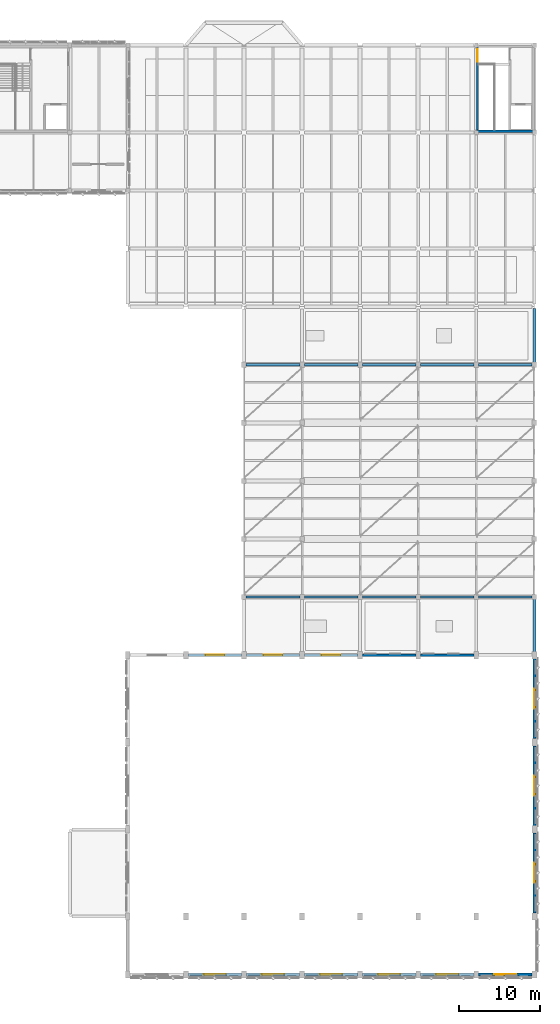
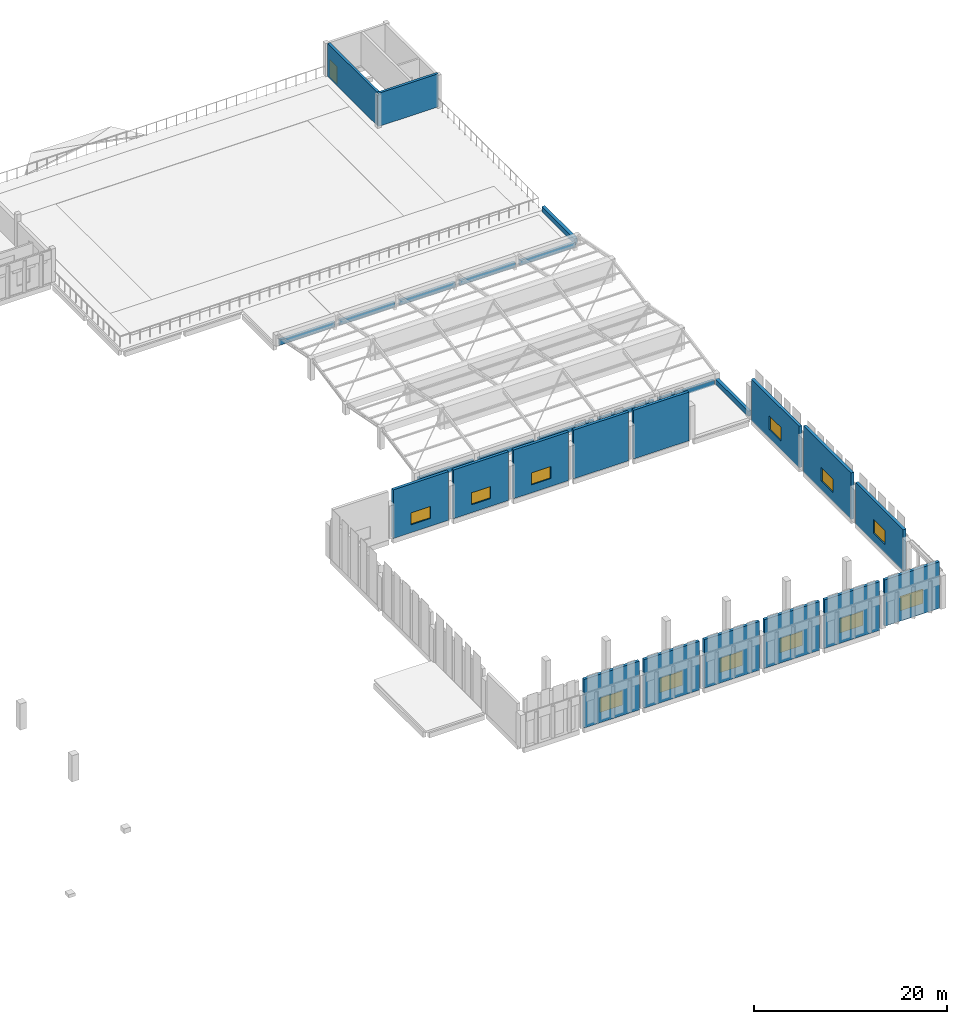
# One storey, part 60 of 72: 28 walls, 12 windows, 1 door, 13 openings.
"""IFC4 building model written with IfcOpenShell, lengths in metres."""

from ifc_helpers import new_model, si_unit, direction, frame, frame_2d, origin, place, context, subcontext, project, spatial, rectangle, extrude, material, layer, layer_set, type_object, element, fill, save


model = new_model("IFC4")

# Units and contexts
model_context = context("Model", 3, precision=1e-05, world=origin(), true_north=direction((0.0, 1.0)))
body_context = subcontext(model_context, "Body", "Model", "MODEL_VIEW")
ifc_project = project(units=[si_unit("LENGTHUNIT", "METRE"), si_unit("AREAUNIT", "SQUARE_METRE"), si_unit("VOLUMEUNIT", "CUBIC_METRE"), si_unit("PLANEANGLEUNIT", "RADIAN"), si_unit("MASSUNIT", "GRAM", prefix="KILO")], contexts=[model_context])

# Site, building, storey
site_placement = place(None, origin())
site = spatial("IfcSite", under=ifc_project, at=site_placement, CompositionType="ELEMENT")
building_placement = place(site_placement, origin())
building = spatial("IfcBuilding", under=site, at=building_placement, Name="Lusvemor Sports Hall", CompositionType="ELEMENT")
storey_placement = place(building_placement, frame((0.0, 0.0, 15.0)))
storey = spatial("IfcBuildingStorey", under=building, at=storey_placement, Name="L03", CompositionType="ELEMENT", Elevation=15.0)

# Walls
ifc_material_1 = material(Name="Emerald polychrome glazed ceramic cladding on Concrete C40/50 backing", Category="concrete")
ifc_layer_1 = layer(ifc_material_1, 0.2900390625)
ifc_layer_set_1 = layer_set([ifc_layer_1], Name="Emerald polychrome glazed ceramic cladding on Concrete C40/50 backing")
wall_type_1 = type_object("IfcWallType", Name="EW_CLIMB_290", PredefinedType="STANDARD", material=ifc_layer_set_1)
for number, where, z_axis, x_axis, name in (
    (1, (140.1240234375, 46.800048828125, -0.14990234375), (0.0, 0.0, 1.0), (-1.0, 0.0, 0.0), "Exterior Wall EW-V3GAB-S-0"),
    (2, (147.323974609375, 46.800048828125, -0.14990234375), (0.0, 0.0, 1.0), (-1.0, 0.0, 0.0), "Exterior Wall EW-V3GAB-S-1"),
    (3, (154.52392578125, 46.800048828125, -0.14990234375), (0.0, 0.0, 1.0), (-1.0, 0.0, 0.0), "Exterior Wall EW-V3GAB-S-2"),
):
    element("IfcWall", number, at=place(storey_placement, frame(where, z_axis=z_axis, x_axis=x_axis)), inside=storey, type_object=wall_type_1, Name=name, PredefinedType="STANDARD", context=body_context, shape_type="SweptSolid", body=[
        extrude(rectangle(XDim=6.64794921875, YDim=0.2900390625, at=frame_2d((3.323974609375, 0.0))), origin(), (0.0, 0.0, 1.0), 0.635009765625),
    ])
for number, where, z_axis, x_axis, name in (
    (4, (161.72412109375, 46.800048828125, -0.14990234375), (0.0, 0.0, 1.0), (-1.0, 0.0, 0.0), "Exterior Wall EW-V3GAB-S-3"),
    (5, (168.924072265625, 46.800048828125, -0.14990234375), (0.0, 0.0, 1.0), (-1.0, 0.0, 0.0), "Exterior Wall EW-V3GAB-S-4"),
):
    element("IfcWall", number, at=place(storey_placement, frame(where, z_axis=z_axis, x_axis=x_axis)), inside=storey, type_object=wall_type_1, Name=name, PredefinedType="STANDARD", context=body_context, shape_type="SweptSolid", body=[
        extrude(rectangle(XDim=6.648193359375, YDim=0.2900390625, at=frame_2d((3.32421875, 0.0))), origin(), (0.0, 0.0, 1.0), 0.635009765625),
    ])
for number, where, z_axis, x_axis, name in (
    (6, (133.47607421875, 75.60009765625, -0.14990234375), (0.0, 0.0, 1.0), (1.0, 0.0, 0.0), "Exterior Wall EW-V3GAB-N-0"),
    (7, (140.676025390625, 75.60009765625, -0.14990234375), (0.0, 0.0, 1.0), (1.0, 0.0, 0.0), "Exterior Wall EW-V3GAB-N-1"),
    (8, (147.8759765625, 75.60009765625, -0.14990234375), (0.0, 0.0, 1.0), (1.0, 0.0, 0.0), "Exterior Wall EW-V3GAB-N-2"),
):
    element("IfcWall", number, at=place(storey_placement, frame(where, z_axis=z_axis, x_axis=x_axis)), inside=storey, type_object=wall_type_1, Name=name, PredefinedType="STANDARD", context=body_context, shape_type="SweptSolid", body=[
        extrude(rectangle(XDim=6.64794921875, YDim=0.2900390625, at=frame_2d((3.323974609375, 0.0))), origin(), (0.0, 0.0, 1.0), 0.635009765625),
    ])
for number, where, z_axis, x_axis, name in (
    (9, (155.075927734375, 75.60009765625, -0.14990234375), (0.0, 0.0, 1.0), (1.0, 0.0, 0.0), "Exterior Wall EW-V3GAB-N-3"),
    (10, (162.27587890625, 75.60009765625, -0.14990234375), (0.0, 0.0, 1.0), (1.0, 0.0, 0.0), "Exterior Wall EW-V3GAB-N-4"),
):
    element("IfcWall", number, at=place(storey_placement, frame(where, z_axis=z_axis, x_axis=x_axis)), inside=storey, type_object=wall_type_1, Name=name, PredefinedType="STANDARD", context=body_context, shape_type="SweptSolid", body=[
        extrude(rectangle(XDim=6.648193359375, YDim=0.2900390625, at=frame_2d((3.32421875, 0.0))), origin(), (0.0, 0.0, 1.0), 0.635009765625),
    ])

# Wall, opening, window
ifc_material_2 = material(Name="Warm terracotta Art Nouveau ceramic cladding on Concrete C40/50 backing", Category="masonry")
ifc_layer_2 = layer(ifc_material_2, 0.340087890625)
ifc_layer_set_2 = layer_set([ifc_layer_2], Name="Warm terracotta Art Nouveau ceramic cladding on Concrete C40/50 backing")
wall_type_2 = type_object("IfcWallType", Name="EW_TERR_CAV_340", PredefinedType="STANDARD", material=ifc_layer_set_2)
wall_1_placement = place(storey_placement, frame((132.904052734375, 0.0, -0.280029296875), z_axis=(0.0, 0.0, 1.0), x_axis=(-1.0, 0.0, 0.0)))
wall_1 = element("IfcWall", 11, at=wall_1_placement, inside=storey, type_object=wall_type_2, Name="Exterior Wall EW-V2CS-L03-1", PredefinedType="STANDARD", context=body_context, shape_type="SweptSolid", body=[
    extrude(rectangle(XDim=6.608154296875, YDim=0.340087890625, at=frame_2d((3.30419921875, 0.0))), origin(), (0.0, 0.0, 1.0), 6.165771484375),
])
opening_1_placement = place(wall_1_placement, frame((1.93408203125, 0.0, 1.199951171875)))
opening_1 = element("IfcOpeningElement", 12, at=opening_1_placement, cuts=wall_1, Name="Opening WN20", PredefinedType="OPENING", context=body_context, shape_type="SweptSolid", body=[
    extrude(rectangle(XDim=2.739990234375, YDim=1.820068359375, at=frame_2d((1.3701171875, 0.91015625))), frame((0.0, 0.169921875, 0.0), z_axis=(0.0, -1.0, 0.0), x_axis=(1.0, 0.0, 0.0)), (0.0, 0.0, 1.0), 0.340087890625),
])
ifc_material_3 = material(Name="Solar-control laminated double glazing", Category="glass")
window_type_1 = type_object("IfcWindowType", Name="WIN_20", PartitioningType="SINGLE_PANEL", PredefinedType="WINDOW", material=ifc_material_3)
window_1_placement = place(opening_1_placement, origin())
window_1 = element("IfcWindow", 13, at=window_1_placement, inside=storey, type_object=window_type_1, Name="Upper Court 3 South Clerestory 1", OverallHeight=1.820068359375, OverallWidth=2.739990234375, PartitioningType="SINGLE_PANEL", PredefinedType="WINDOW", context=body_context, shape_type="SweptSolid", body=[
    extrude(rectangle(XDim=2.739990234375, YDim=1.820068359375, at=frame_2d((1.3701171875, 0.91015625))), frame((0.0, 0.030029296875, 0.0), z_axis=(0.0, -1.0, 0.0), x_axis=(1.0, 0.0, 0.0)), (0.0, 0.0, 1.0), 0.06005859375),
])
fill(opening_1, window_1)

wall_2_placement = place(storey_placement, frame((126.2958984375, 39.60009765625, -0.280029296875), z_axis=(0.0, 0.0, 1.0), x_axis=(1.0, 0.0, 0.0)))
wall_2 = element("IfcWall", 14, at=wall_2_placement, inside=storey, type_object=wall_type_2, Name="Exterior Wall EW-V2N-L03-1", PredefinedType="STANDARD", context=body_context, shape_type="SweptSolid", body=[
    extrude(rectangle(XDim=6.608154296875, YDim=0.340087890625, at=frame_2d((3.30419921875, 0.0))), origin(), (0.0, 0.0, 1.0), 6.165771484375),
])
opening_2_placement = place(wall_2_placement, frame((2.14404296875, 0.0, 1.0)))
opening_2 = element("IfcOpeningElement", 15, at=opening_2_placement, cuts=wall_2, Name="Opening WN21", PredefinedType="OPENING", context=body_context, shape_type="SweptSolid", body=[
    extrude(rectangle(XDim=2.320068359375, YDim=1.52001953125, at=frame_2d((1.16015625, 0.760009765625))), frame((0.0, 0.169921875, 0.0), z_axis=(0.0, -1.0, 0.0), x_axis=(1.0, 0.0, 0.0)), (0.0, 0.0, 1.0), 0.340087890625),
])
ifc_material_4 = material(Name="Solar-control laminated double glazing", Category="glass")
window_type_2 = type_object("IfcWindowType", Name="WIN_21", PartitioningType="SINGLE_PANEL", PredefinedType="WINDOW", material=ifc_material_4)
window_2_placement = place(opening_2_placement, origin())
window_2 = element("IfcWindow", 16, at=window_2_placement, inside=storey, type_object=window_type_2, Name="Court 2/3 North Window L03-1", OverallHeight=1.52001953125, OverallWidth=2.320068359375, PartitioningType="SINGLE_PANEL", PredefinedType="WINDOW", context=body_context, shape_type="SweptSolid", body=[
    extrude(rectangle(XDim=2.320068359375, YDim=1.52001953125, at=frame_2d((1.16015625, 0.760009765625))), frame((0.0, 0.030029296875, 0.0), z_axis=(0.0, -1.0, 0.0), x_axis=(1.0, 0.0, 0.0)), (0.0, 0.0, 1.0), 0.06005859375),
])
fill(opening_2, window_2)

wall_3_placement = place(storey_placement, frame((140.10400390625, 0.0, -0.280029296875), z_axis=(0.0, 0.0, 1.0), x_axis=(-1.0, 0.0, 0.0)))
wall_3 = element("IfcWall", 17, at=wall_3_placement, inside=storey, type_object=wall_type_2, Name="Exterior Wall EW-V2CS-L03-2", PredefinedType="STANDARD", context=body_context, shape_type="SweptSolid", body=[
    extrude(rectangle(XDim=6.60791015625, YDim=0.340087890625, at=frame_2d((3.303955078125, 0.0))), origin(), (0.0, 0.0, 1.0), 6.165771484375),
])
opening_3_placement = place(wall_3_placement, frame((1.93408203125, 0.0, 1.199951171875)))
opening_3 = element("IfcOpeningElement", 18, at=opening_3_placement, cuts=wall_3, Name="Opening WN20", PredefinedType="OPENING", context=body_context, shape_type="SweptSolid", body=[
    extrude(rectangle(XDim=2.739990234375, YDim=1.820068359375, at=frame_2d((1.3701171875, 0.91015625))), frame((0.0, 0.169921875, 0.0), z_axis=(0.0, -1.0, 0.0), x_axis=(1.0, 0.0, 0.0)), (0.0, 0.0, 1.0), 0.340087890625),
])
window_3_placement = place(opening_3_placement, origin())
window_3 = element("IfcWindow", 19, at=window_3_placement, inside=storey, type_object=window_type_1, Name="Upper Court 3 South Clerestory 2", OverallHeight=1.820068359375, OverallWidth=2.739990234375, PartitioningType="SINGLE_PANEL", PredefinedType="WINDOW", context=body_context, shape_type="SweptSolid", body=[
    extrude(rectangle(XDim=2.739990234375, YDim=1.820068359375, at=frame_2d((1.3701171875, 0.91015625))), frame((0.0, 0.030029296875, 0.0), z_axis=(0.0, -1.0, 0.0), x_axis=(1.0, 0.0, 0.0)), (0.0, 0.0, 1.0), 0.06005859375),
])
fill(opening_3, window_3)

wall_4_placement = place(storey_placement, frame((133.49609375, 39.60009765625, -0.280029296875), z_axis=(0.0, 0.0, 1.0), x_axis=(1.0, 0.0, 0.0)))
wall_4 = element("IfcWall", 20, at=wall_4_placement, inside=storey, type_object=wall_type_2, Name="Exterior Wall EW-V2N-L03-2", PredefinedType="STANDARD", context=body_context, shape_type="SweptSolid", body=[
    extrude(rectangle(XDim=6.60791015625, YDim=0.340087890625, at=frame_2d((3.303955078125, 0.0))), origin(), (0.0, 0.0, 1.0), 6.165771484375),
])
opening_4_placement = place(wall_4_placement, frame((2.14404296875, 0.0, 1.0)))
opening_4 = element("IfcOpeningElement", 21, at=opening_4_placement, cuts=wall_4, Name="Opening WN21", PredefinedType="OPENING", context=body_context, shape_type="SweptSolid", body=[
    extrude(rectangle(XDim=2.320068359375, YDim=1.52001953125, at=frame_2d((1.16015625, 0.760009765625))), frame((0.0, 0.169921875, 0.0), z_axis=(0.0, -1.0, 0.0), x_axis=(1.0, 0.0, 0.0)), (0.0, 0.0, 1.0), 0.340087890625),
])
window_4_placement = place(opening_4_placement, origin())
window_4 = element("IfcWindow", 22, at=window_4_placement, inside=storey, type_object=window_type_2, Name="Court 2/3 North Window L03-2", OverallHeight=1.52001953125, OverallWidth=2.320068359375, PartitioningType="SINGLE_PANEL", PredefinedType="WINDOW", context=body_context, shape_type="SweptSolid", body=[
    extrude(rectangle(XDim=2.320068359375, YDim=1.52001953125, at=frame_2d((1.16015625, 0.760009765625))), frame((0.0, 0.030029296875, 0.0), z_axis=(0.0, -1.0, 0.0), x_axis=(1.0, 0.0, 0.0)), (0.0, 0.0, 1.0), 0.06005859375),
])
fill(opening_4, window_4)

wall_5_placement = place(storey_placement, frame((147.303955078125, 0.0, -0.280029296875), z_axis=(0.0, 0.0, 1.0), x_axis=(-1.0, 0.0, 0.0)))
wall_5 = element("IfcWall", 23, at=wall_5_placement, inside=storey, type_object=wall_type_2, Name="Exterior Wall EW-V2CS-L03-3", PredefinedType="STANDARD", context=body_context, shape_type="SweptSolid", body=[
    extrude(rectangle(XDim=6.60791015625, YDim=0.340087890625, at=frame_2d((3.303955078125, 0.0))), origin(), (0.0, 0.0, 1.0), 6.165771484375),
])
opening_5_placement = place(wall_5_placement, frame((1.93408203125, 0.0, 1.199951171875)))
opening_5 = element("IfcOpeningElement", 24, at=opening_5_placement, cuts=wall_5, Name="Opening WN20", PredefinedType="OPENING", context=body_context, shape_type="SweptSolid", body=[
    extrude(rectangle(XDim=2.739990234375, YDim=1.820068359375, at=frame_2d((1.3701171875, 0.91015625))), frame((0.0, 0.169921875, 0.0), z_axis=(0.0, -1.0, 0.0), x_axis=(1.0, 0.0, 0.0)), (0.0, 0.0, 1.0), 0.340087890625),
])
window_5_placement = place(opening_5_placement, origin())
window_5 = element("IfcWindow", 25, at=window_5_placement, inside=storey, type_object=window_type_1, Name="Upper Court 3 South Clerestory 3", OverallHeight=1.820068359375, OverallWidth=2.739990234375, PartitioningType="SINGLE_PANEL", PredefinedType="WINDOW", context=body_context, shape_type="SweptSolid", body=[
    extrude(rectangle(XDim=2.739990234375, YDim=1.820068359375, at=frame_2d((1.3701171875, 0.91015625))), frame((0.0, 0.030029296875, 0.0), z_axis=(0.0, -1.0, 0.0), x_axis=(1.0, 0.0, 0.0)), (0.0, 0.0, 1.0), 0.06005859375),
])
fill(opening_5, window_5)

wall_6_placement = place(storey_placement, frame((140.696044921875, 39.60009765625, -0.280029296875), z_axis=(0.0, 0.0, 1.0), x_axis=(1.0, 0.0, 0.0)))
wall_6 = element("IfcWall", 26, at=wall_6_placement, inside=storey, type_object=wall_type_2, Name="Exterior Wall EW-V2N-L03-3", PredefinedType="STANDARD", context=body_context, shape_type="SweptSolid", body=[
    extrude(rectangle(XDim=6.60791015625, YDim=0.340087890625, at=frame_2d((3.303955078125, 0.0))), origin(), (0.0, 0.0, 1.0), 6.165771484375),
])
opening_6_placement = place(wall_6_placement, frame((2.14404296875, 0.0, 1.0)))
opening_6 = element("IfcOpeningElement", 27, at=opening_6_placement, cuts=wall_6, Name="Opening WN21", PredefinedType="OPENING", context=body_context, shape_type="SweptSolid", body=[
    extrude(rectangle(XDim=2.320068359375, YDim=1.52001953125, at=frame_2d((1.16015625, 0.760009765625))), frame((0.0, 0.169921875, 0.0), z_axis=(0.0, -1.0, 0.0), x_axis=(1.0, 0.0, 0.0)), (0.0, 0.0, 1.0), 0.340087890625),
])
window_6_placement = place(opening_6_placement, origin())
window_6 = element("IfcWindow", 28, at=window_6_placement, inside=storey, type_object=window_type_2, Name="Court 2/3 North Window L03-3", OverallHeight=1.52001953125, OverallWidth=2.320068359375, PartitioningType="SINGLE_PANEL", PredefinedType="WINDOW", context=body_context, shape_type="SweptSolid", body=[
    extrude(rectangle(XDim=2.320068359375, YDim=1.52001953125, at=frame_2d((1.16015625, 0.760009765625))), frame((0.0, 0.030029296875, 0.0), z_axis=(0.0, -1.0, 0.0), x_axis=(1.0, 0.0, 0.0)), (0.0, 0.0, 1.0), 0.06005859375),
])
fill(opening_6, window_6)

wall_7_placement = place(storey_placement, frame((154.50390625, 0.0, -0.280029296875), z_axis=(0.0, 0.0, 1.0), x_axis=(-1.0, 0.0, 0.0)))
wall_7 = element("IfcWall", 29, at=wall_7_placement, inside=storey, type_object=wall_type_2, Name="Exterior Wall EW-V2CS-L03-4", PredefinedType="STANDARD", context=body_context, shape_type="SweptSolid", body=[
    extrude(rectangle(XDim=6.60791015625, YDim=0.340087890625, at=frame_2d((3.303955078125, 0.0))), origin(), (0.0, 0.0, 1.0), 6.165771484375),
])
opening_7_placement = place(wall_7_placement, frame((1.93408203125, 0.0, 1.199951171875)))
opening_7 = element("IfcOpeningElement", 30, at=opening_7_placement, cuts=wall_7, Name="Opening WN20", PredefinedType="OPENING", context=body_context, shape_type="SweptSolid", body=[
    extrude(rectangle(XDim=2.739990234375, YDim=1.820068359375, at=frame_2d((1.3701171875, 0.91015625))), frame((0.0, 0.169921875, 0.0), z_axis=(0.0, -1.0, 0.0), x_axis=(1.0, 0.0, 0.0)), (0.0, 0.0, 1.0), 0.340087890625),
])
window_7_placement = place(opening_7_placement, origin())
window_7 = element("IfcWindow", 31, at=window_7_placement, inside=storey, type_object=window_type_1, Name="Upper Court 3 South Clerestory 4", OverallHeight=1.820068359375, OverallWidth=2.739990234375, PartitioningType="SINGLE_PANEL", PredefinedType="WINDOW", context=body_context, shape_type="SweptSolid", body=[
    extrude(rectangle(XDim=2.739990234375, YDim=1.820068359375, at=frame_2d((1.3701171875, 0.91015625))), frame((0.0, 0.030029296875, 0.0), z_axis=(0.0, -1.0, 0.0), x_axis=(1.0, 0.0, 0.0)), (0.0, 0.0, 1.0), 0.06005859375),
])
fill(opening_7, window_7)

wall_8_placement = place(storey_placement, frame((161.7041015625, 0.0, -0.280029296875), z_axis=(0.0, 0.0, 1.0), x_axis=(-1.0, 0.0, 0.0)))
wall_8 = element("IfcWall", 32, at=wall_8_placement, inside=storey, type_object=wall_type_2, Name="Exterior Wall EW-V2CS-L03-5", PredefinedType="STANDARD", context=body_context, shape_type="SweptSolid", body=[
    extrude(rectangle(XDim=6.608154296875, YDim=0.340087890625, at=frame_2d((3.30419921875, 0.0))), origin(), (0.0, 0.0, 1.0), 6.165771484375),
])
opening_8_placement = place(wall_8_placement, frame((1.93408203125, 0.0, 1.199951171875)))
opening_8 = element("IfcOpeningElement", 33, at=opening_8_placement, cuts=wall_8, Name="Opening WN20", PredefinedType="OPENING", context=body_context, shape_type="SweptSolid", body=[
    extrude(rectangle(XDim=2.739990234375, YDim=1.820068359375, at=frame_2d((1.3701171875, 0.91015625))), frame((0.0, 0.169921875, 0.0), z_axis=(0.0, -1.0, 0.0), x_axis=(1.0, 0.0, 0.0)), (0.0, 0.0, 1.0), 0.340087890625),
])
window_8_placement = place(opening_8_placement, origin())
window_8 = element("IfcWindow", 34, at=window_8_placement, inside=storey, type_object=window_type_1, Name="Upper Court 3 South Clerestory 5", OverallHeight=1.820068359375, OverallWidth=2.739990234375, PartitioningType="SINGLE_PANEL", PredefinedType="WINDOW", context=body_context, shape_type="SweptSolid", body=[
    extrude(rectangle(XDim=2.739990234375, YDim=1.820068359375, at=frame_2d((1.3701171875, 0.91015625))), frame((0.0, 0.030029296875, 0.0), z_axis=(0.0, -1.0, 0.0), x_axis=(1.0, 0.0, 0.0)), (0.0, 0.0, 1.0), 0.06005859375),
])
fill(opening_8, window_8)

wall_9_placement = place(storey_placement, frame((168.904052734375, 0.0, 0.0048828125), z_axis=(0.0, 0.0, 1.0), x_axis=(-1.0, 0.0, 0.0)))
wall_9 = element("IfcWall", 35, at=wall_9_placement, inside=storey, type_object=wall_type_2, Name="Exterior Wall EW-V2CS-L03-6", PredefinedType="STANDARD", context=body_context, shape_type="SweptSolid", body=[
    extrude(rectangle(XDim=6.608154296875, YDim=0.340087890625, at=frame_2d((3.30419921875, 0.0))), origin(), (0.0, 0.0, 1.0), 5.880859375),
])
opening_9_placement = place(wall_9_placement, frame((1.93408203125, 0.0, 1.195068359375)))
opening_9 = element("IfcOpeningElement", 36, at=opening_9_placement, cuts=wall_9, Name="Opening WN20", PredefinedType="OPENING", context=body_context, shape_type="SweptSolid", body=[
    extrude(rectangle(XDim=2.739990234375, YDim=1.820068359375, at=frame_2d((1.3701171875, 0.91015625))), frame((0.0, 0.169921875, 0.0), z_axis=(0.0, -1.0, 0.0), x_axis=(1.0, 0.0, 0.0)), (0.0, 0.0, 1.0), 0.340087890625),
])
window_9_placement = place(opening_9_placement, origin())
window_9 = element("IfcWindow", 37, at=window_9_placement, inside=storey, type_object=window_type_1, Name="Upper Court 3 South Clerestory 6", OverallHeight=1.820068359375, OverallWidth=2.739990234375, PartitioningType="SINGLE_PANEL", PredefinedType="WINDOW", context=body_context, shape_type="SweptSolid", body=[
    extrude(rectangle(XDim=2.739990234375, YDim=1.820068359375, at=frame_2d((1.3701171875, 0.91015625))), frame((0.0, 0.030029296875, 0.0), z_axis=(0.0, -1.0, 0.0), x_axis=(1.0, 0.0, 0.0)), (0.0, 0.0, 1.0), 0.06005859375),
])
fill(opening_9, window_9)

wall_10_placement = place(storey_placement, frame((169.199951171875, 17.553955078125, -0.10009765625), z_axis=(0.0, 0.0, 1.0), x_axis=(0.0, -1.0, 0.0)))
wall_10 = element("IfcWall", 38, at=wall_10_placement, inside=storey, type_object=wall_type_2, Name="Exterior Wall EW-V2E-L03-1", PredefinedType="STANDARD", context=body_context, shape_type="SweptSolid", body=[
    extrude(rectangle(XDim=9.907958984375, YDim=0.340087890625, at=frame_2d((4.9541015625, 0.0))), origin(), (0.0, 0.0, 1.0), 5.2451171875),
])
opening_10_placement = place(wall_10_placement, frame((3.714111328125, 0.0, 1.10009765625)))
opening_10 = element("IfcOpeningElement", 39, at=opening_10_placement, cuts=wall_10, Name="Opening WN34", PredefinedType="OPENING", context=body_context, shape_type="SweptSolid", body=[
    extrude(rectangle(XDim=2.47998046875, YDim=1.739990234375, at=frame_2d((1.239990234375, 0.8701171875))), frame((0.0, 0.169921875, 0.0), z_axis=(0.0, -1.0, 0.0), x_axis=(1.0, 0.0, 0.0)), (0.0, 0.0, 1.0), 0.340087890625),
])
ifc_material_5 = material(Name="Solar-control laminated double glazing", Category="glass")
window_type_3 = type_object("IfcWindowType", Name="WIN_34", PartitioningType="SINGLE_PANEL", PredefinedType="WINDOW", material=ifc_material_5)
window_10_placement = place(opening_10_placement, origin())
window_10 = element("IfcWindow", 40, at=window_10_placement, inside=storey, type_object=window_type_3, Name="East Facade Window L03-1", OverallHeight=1.739990234375, OverallWidth=2.47998046875, PartitioningType="SINGLE_PANEL", PredefinedType="WINDOW", context=body_context, shape_type="SweptSolid", body=[
    extrude(rectangle(XDim=2.47998046875, YDim=1.739990234375, at=frame_2d((1.239990234375, 0.8701171875))), frame((0.0, 0.030029296875, 0.0), z_axis=(0.0, -1.0, 0.0), x_axis=(1.0, 0.0, 0.0)), (0.0, 0.0, 1.0), 0.06005859375),
])
fill(opening_10, window_10)

wall_11_placement = place(storey_placement, frame((169.199951171875, 28.35400390625, -0.10009765625), z_axis=(0.0, 0.0, 1.0), x_axis=(0.0, -1.0, 0.0)))
wall_11 = element("IfcWall", 41, at=wall_11_placement, inside=storey, type_object=wall_type_2, Name="Exterior Wall EW-V2E-L03-2", PredefinedType="STANDARD", context=body_context, shape_type="SweptSolid", body=[
    extrude(rectangle(XDim=9.907958984375, YDim=0.340087890625, at=frame_2d((4.9541015625, 0.0))), origin(), (0.0, 0.0, 1.0), 5.885009765625),
])
opening_11_placement = place(wall_11_placement, frame((3.714111328125, 0.0, 1.10009765625)))
opening_11 = element("IfcOpeningElement", 42, at=opening_11_placement, cuts=wall_11, Name="Opening WN34", PredefinedType="OPENING", context=body_context, shape_type="SweptSolid", body=[
    extrude(rectangle(XDim=2.47998046875, YDim=1.739990234375, at=frame_2d((1.239990234375, 0.8701171875))), frame((0.0, 0.169921875, 0.0), z_axis=(0.0, -1.0, 0.0), x_axis=(1.0, 0.0, 0.0)), (0.0, 0.0, 1.0), 0.340087890625),
])
window_11_placement = place(opening_11_placement, origin())
window_11 = element("IfcWindow", 43, at=window_11_placement, inside=storey, type_object=window_type_3, Name="East Facade Window L03-2", OverallHeight=1.739990234375, OverallWidth=2.47998046875, PartitioningType="SINGLE_PANEL", PredefinedType="WINDOW", context=body_context, shape_type="SweptSolid", body=[
    extrude(rectangle(XDim=2.47998046875, YDim=1.739990234375, at=frame_2d((1.239990234375, 0.8701171875))), frame((0.0, 0.030029296875, 0.0), z_axis=(0.0, -1.0, 0.0), x_axis=(1.0, 0.0, 0.0)), (0.0, 0.0, 1.0), 0.06005859375),
])
fill(opening_11, window_11)

wall_12_placement = place(storey_placement, frame((169.199951171875, 39.154052734375, -0.10009765625), z_axis=(0.0, 0.0, 1.0), x_axis=(0.0, -1.0, 0.0)))
wall_12 = element("IfcWall", 44, at=wall_12_placement, inside=storey, type_object=wall_type_2, Name="Exterior Wall EW-V2E-L03-3", PredefinedType="STANDARD", context=body_context, shape_type="SweptSolid", body=[
    extrude(rectangle(XDim=9.907958984375, YDim=0.340087890625, at=frame_2d((4.9541015625, 0.0))), origin(), (0.0, 0.0, 1.0), 5.2451171875),
])
opening_12_placement = place(wall_12_placement, frame((3.714111328125, 0.0, 1.10009765625)))
opening_12 = element("IfcOpeningElement", 45, at=opening_12_placement, cuts=wall_12, Name="Opening WN34", PredefinedType="OPENING", context=body_context, shape_type="SweptSolid", body=[
    extrude(rectangle(XDim=2.47998046875, YDim=1.739990234375, at=frame_2d((1.239990234375, 0.8701171875))), frame((0.0, 0.169921875, 0.0), z_axis=(0.0, -1.0, 0.0), x_axis=(1.0, 0.0, 0.0)), (0.0, 0.0, 1.0), 0.340087890625),
])
window_12_placement = place(opening_12_placement, origin())
window_12 = element("IfcWindow", 46, at=window_12_placement, inside=storey, type_object=window_type_3, Name="East Facade Window L03-3", OverallHeight=1.739990234375, OverallWidth=2.47998046875, PartitioningType="SINGLE_PANEL", PredefinedType="WINDOW", context=body_context, shape_type="SweptSolid", body=[
    extrude(rectangle(XDim=2.47998046875, YDim=1.739990234375, at=frame_2d((1.239990234375, 0.8701171875))), frame((0.0, 0.030029296875, 0.0), z_axis=(0.0, -1.0, 0.0), x_axis=(1.0, 0.0, 0.0)), (0.0, 0.0, 1.0), 0.06005859375),
])
fill(opening_12, window_12)

# Walls
wall_13_placement = place(storey_placement, frame((147.89599609375, 39.60009765625, -0.280029296875), z_axis=(0.0, 0.0, 1.0), x_axis=(1.0, 0.0, 0.0)))
element("IfcWall", 47, at=wall_13_placement, inside=storey, type_object=wall_type_2, Name="Exterior Wall EW-V2N-HI-4", PredefinedType="STANDARD", context=body_context, shape_type="SweptSolid", body=[
    extrude(rectangle(XDim=6.60791015625, YDim=0.340087890625, at=frame_2d((3.303955078125, 0.0))), origin(), (0.0, 0.0, 1.0), 6.165771484375),
])
wall_14_placement = place(storey_placement, frame((155.095947265625, 39.60009765625, -0.280029296875), z_axis=(0.0, 0.0, 1.0), x_axis=(1.0, 0.0, 0.0)))
element("IfcWall", 48, at=wall_14_placement, inside=storey, type_object=wall_type_2, Name="Exterior Wall EW-V2N-HI-5", PredefinedType="STANDARD", context=body_context, shape_type="SweptSolid", body=[
    extrude(rectangle(XDim=6.608154296875, YDim=0.340087890625, at=frame_2d((3.30419921875, 0.0))), origin(), (0.0, 0.0, 1.0), 6.165771484375),
])
ifc_material_6 = material(Name="Precast concrete C40/50", Category="concrete")
ifc_layer_3 = layer(ifc_material_6, 0.3701171875)
ifc_layer_set_3 = layer_set([ifc_layer_3], Name="Precast concrete C40/50")
wall_type_3 = type_object("IfcWallType", Name="PARAPET_TERR_215", PredefinedType="PARAPET", material=ifc_layer_set_3)
for number, where, z_axis, x_axis, name in (
    (49, (169.199951171875, 46.60009765625, 0.0), (0.0, 0.0, 1.0), (0.0, -1.0, 0.0), "Exterior Wall PW-V5EL-E"),
    (50, (169.199951171875, 82.60009765625, 0.0), (0.0, 0.0, 1.0), (0.0, -1.0, 0.0), "Exterior Wall PW-V5NL-E"),
):
    element("IfcWall", number, at=place(storey_placement, frame(where, z_axis=z_axis, x_axis=x_axis)), inside=storey, type_object=wall_type_3, Name=name, PredefinedType="PARAPET", context=body_context, shape_type="SweptSolid", body=[
        extrude(rectangle(XDim=6.800048828125, YDim=0.3701171875, at=frame_2d((3.39990234375, 0.0))), origin(), (0.0, 0.0, 1.0), 0.64990234375),
    ])
ifc_material_7 = material(Name="Concrete C40/50", Category="concrete")
ifc_layer_4 = layer(ifc_material_7, 0.300048828125)
ifc_layer_set_4 = layer_set([ifc_layer_4], Name="Concrete C40/50")
wall_type_4 = type_object("IfcWallType", Name="WALL_CORE_300_INT", PredefinedType="SHEAR", material=ifc_layer_set_4)
wall_15_placement = place(storey_placement, frame((169.199951171875, 104.550048828125, 0.0), z_axis=(0.0, 0.0, 1.0), x_axis=(-1.0, 0.0, 0.0)))
element("IfcWall", 51, at=wall_15_placement, inside=storey, type_object=wall_type_4, Name="Core C5 Northeast Shear Wall S (L03)", PredefinedType="SHEAR", context=body_context, shape_type="SweptSolid", body=[
    extrude(rectangle(XDim=7.199951171875, YDim=0.300048828125, at=frame_2d((3.60009765625, 0.0))), origin(), (0.0, 0.0, 1.0), 4.199951171875),
])

# Wall, opening, door
wall_16_placement = place(storey_placement, frame((162.14990234375, 104.699951171875, 0.0), z_axis=(0.0, 0.0, 1.0), x_axis=(0.0, 1.0, 0.0)))
wall_16 = element("IfcWall", 52, at=wall_16_placement, inside=storey, type_object=wall_type_4, Name="Core C5 Northeast Shear Wall W (L03)", PredefinedType="SHEAR", context=body_context, shape_type="SweptSolid", body=[
    extrude(rectangle(XDim=10.199951171875, YDim=0.300048828125, at=frame_2d((5.10009765625, 0.0))), origin(), (0.0, 0.0, 1.0), 4.199951171875),
])
opening_13_placement = place(wall_16_placement, frame((8.4599609375, 0.0, 0.0)))
opening_13 = element("IfcOpeningElement", 53, at=opening_13_placement, cuts=wall_16, Name="Opening DR-FD60-01", PredefinedType="OPENING", context=body_context, shape_type="SweptSolid", body=[
    extrude(rectangle(XDim=1.5400390625, YDim=2.219970703125, at=frame_2d((0.77001953125, 1.10986328125))), frame((0.0, 0.14990234375, 0.0), z_axis=(0.0, -1.0, 0.0), x_axis=(1.0, 0.0, 0.0)), (0.0, 0.0, 1.0), 0.300048828125),
])
ifc_material_8 = material(Name="Fire-rated insulated painted steel door assembly", Category="steel")
door_type = type_object("IfcDoorType", Name="IDR_LOBBY_FD60_154", OperationType="NOTDEFINED", PredefinedType="DOOR", material=ifc_material_8)
door_placement = place(opening_13_placement, origin())
door = element("IfcDoor", 54, at=door_placement, inside=storey, type_object=door_type, Name="DR-109", OperationType="SINGLE_SWING_LEFT", OverallHeight=2.219970703125, OverallWidth=1.5400390625, PredefinedType="DOOR", context=body_context, shape_type="SweptSolid", body=[
    extrude(rectangle(XDim=1.5400390625, YDim=2.219970703125, at=frame_2d((0.77001953125, 1.10986328125))), frame((0.0, 0.02490234375, 0.0), z_axis=(0.0, -1.0, 0.0), x_axis=(1.0, 0.0, 0.0)), (0.0, 0.0, 1.0), 0.050048828125),
])
fill(opening_13, door)

save(model, "model.ifc")
